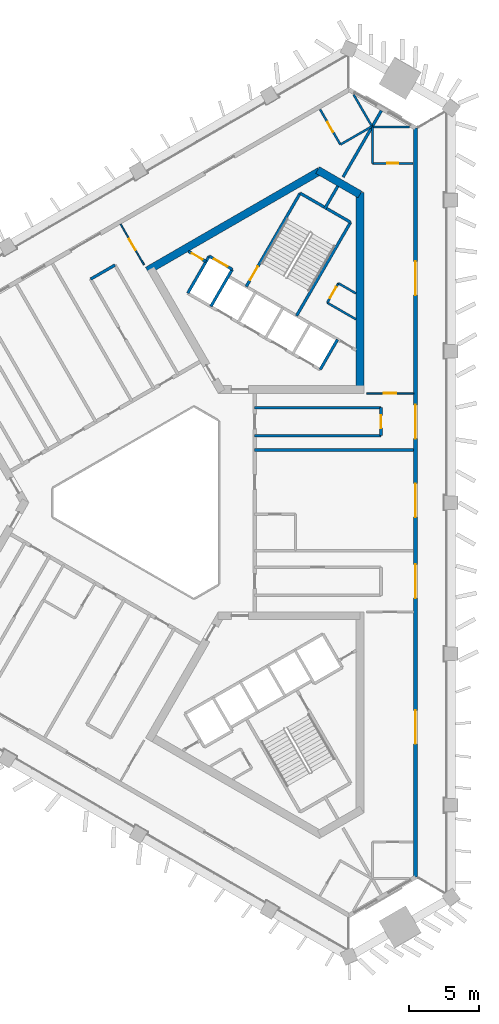
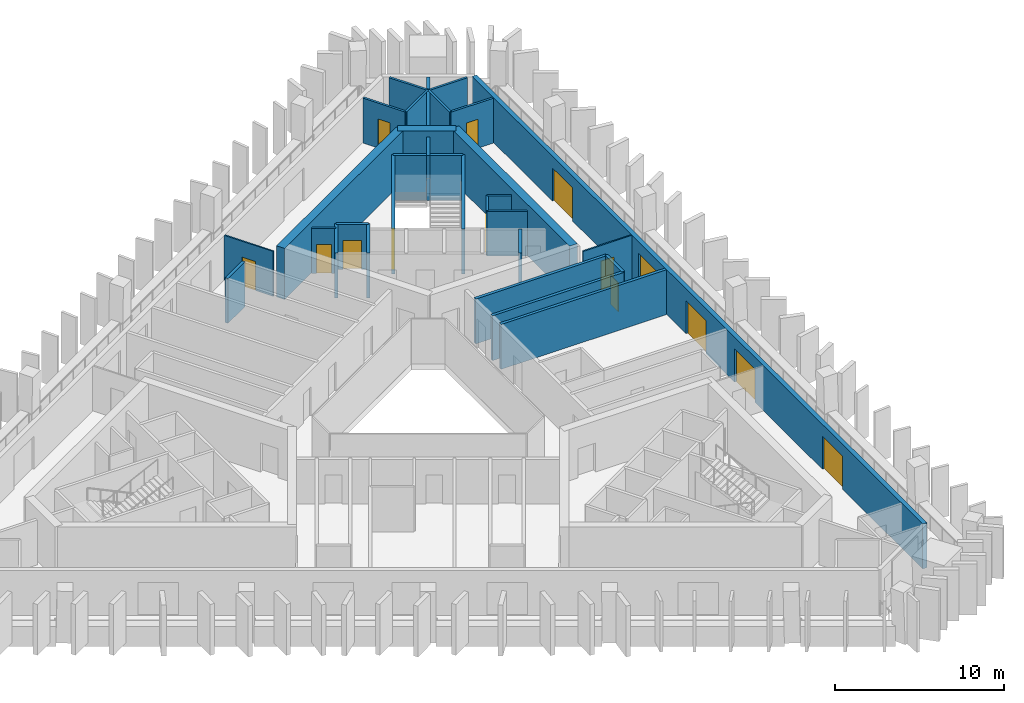
# One storey, part 6 of 10: 30 walls, 14 doors, 14 openings.
"""IFC4 building model written with IfcOpenShell, lengths in metres."""

from ifc_helpers import new_model, si_unit, direction, frame, frame_2d, origin, place, context, subcontext, project, spatial, rectangle, extrude, material, layer, layer_set, type_object, element, fill, save


model = new_model("IFC4")

# Units and contexts
model_context = context("Model", 3, precision=1e-05, world=origin(), true_north=direction((0.0, 1.0)))
body_context = subcontext(model_context, "Body", "Model", "MODEL_VIEW")
ifc_project = project(units=[si_unit("LENGTHUNIT", "METRE"), si_unit("AREAUNIT", "SQUARE_METRE"), si_unit("VOLUMEUNIT", "CUBIC_METRE"), si_unit("PLANEANGLEUNIT", "RADIAN"), si_unit("MASSUNIT", "GRAM", prefix="KILO")], contexts=[model_context])

# Site, building, storey
site_placement = place(None, origin())
site = spatial("IfcSite", under=ifc_project, at=site_placement, CompositionType="ELEMENT")
building_placement = place(site_placement, origin())
building = spatial("IfcBuilding", under=site, at=building_placement, Name="Jabali Bay Hotel Tower and Convention Centre", CompositionType="ELEMENT")
storey_placement = place(building_placement, frame((0.0, 0.0, 174.800048828125)))
storey = spatial("IfcBuildingStorey", under=building, at=storey_placement, Name="L42", CompositionType="ELEMENT", Elevation=174.800048828125)

# Wall
ifc_material_1 = material(Name="Concrete C40", Category="concrete")
ifc_layer_1 = layer(ifc_material_1, 0.199951171875)
ifc_layer_set_1 = layer_set([ifc_layer_1], Name="Concrete C40")
wall_type_1 = type_object("IfcWallType", Name="Core partition wall 200", PredefinedType="PARTITIONING", material=ifc_layer_set_1)
wall_1_placement = place(storey_placement, frame((87.090087890625, 100.9404296875, 0.0), z_axis=(0.0, 0.0, 1.0), x_axis=(0.499951854219, 0.86605319898, 0.0)))
element("IfcWall", 1, at=wall_1_placement, inside=storey, type_object=wall_type_1, Name="Core wall 1.5 L42", PredefinedType="PARTITIONING", context=body_context, shape_type="SweptSolid", body=[
    extrude(rectangle(XDim=1.873291015625, YDim=0.199951171875, at=frame_2d((0.9365234375, 0.0))), origin(), (0.0, 0.0, 1.0), 3.25),
])

# Wall, opening, door
wall_2_placement = place(storey_placement, frame((78.630126953125, 97.187744140625, 0.0), z_axis=(0.0, 0.0, 1.0), x_axis=(-0.866003949776, 0.500037157592, 0.0)))
wall_2 = element("IfcWall", 2, at=wall_2_placement, inside=storey, type_object=wall_type_1, Name="Core wall 1.12 L42", PredefinedType="PARTITIONING", context=body_context, shape_type="SweptSolid", body=[
    extrude(rectangle(XDim=1.455078125, YDim=0.199951171875, at=frame_2d((0.7275390625, 0.0))), origin(), (0.0, 0.0, 1.0), 3.25),
])
opening_1_placement = place(wall_2_placement, frame((0.277587890625, 0.0, 0.0)))
opening_1 = element("IfcOpeningElement", 3, at=opening_1_placement, cuts=wall_2, Name="Opening D916", PredefinedType="OPENING", context=body_context, shape_type="SweptSolid", body=[
    extrude(rectangle(XDim=0.89990234375, YDim=2.10009765625, at=frame_2d((0.449951171875, 1.050048828125))), frame((0.0, 0.1103515625, 0.0), z_axis=(0.0, -1.0, 0.0), x_axis=(1.0, 0.0, 0.0)), (0.0, 0.0, 1.0), 0.220947265625),
])
ifc_material_2 = material(Name="Fire-rated steel door", Category="steel")
door_type_1 = type_object("IfcDoorType", Name="Vestibule fire door 900 x 2100", OperationType="NOTDEFINED", PredefinedType="NOTDEFINED", material=ifc_material_2)
door_1_placement = place(opening_1_placement, origin())
door_1 = element("IfcDoor", 4, at=door_1_placement, inside=storey, type_object=door_type_1, Name="Vestibule fire door D916", OperationType="SINGLE_SWING_LEFT", OverallHeight=2.10009765625, OverallWidth=0.89990234375, PredefinedType="NOTDEFINED", context=body_context, shape_type="SweptSolid", body=[
    extrude(rectangle(XDim=0.89990234375, YDim=2.10009765625, at=frame_2d((0.449951171875, 1.050048828125))), frame((0.0, 0.02490234375, 0.0), z_axis=(0.0, -1.0, 0.0), x_axis=(1.0, 0.0, 0.0)), (0.0, 0.0, 1.0), 0.050048828125),
])
fill(opening_1, door_1)

ifc_material_3 = material(Name="Fire-rated board partition")
ifc_layer_2 = layer(ifc_material_3, 0.14990234375)
ifc_layer_set_2 = layer_set([ifc_layer_2], Name="Fire-rated board partition")
wall_type_2 = type_object("IfcWallType", Name="Core room partition 150", PredefinedType="PARTITIONING", material=ifc_layer_set_2)
wall_3_placement = place(storey_placement, frame((87.27099609375, 94.254150390625, 0.0), z_axis=(0.0, 0.0, 1.0), x_axis=(0.499995408039, 0.866028054938, 0.0)))
wall_3 = element("IfcWall", 5, at=wall_3_placement, inside=storey, type_object=wall_type_2, Name="Core wall 1.1 L42", PredefinedType="PARTITIONING", context=body_context, shape_type="SweptSolid", body=[
    extrude(rectangle(XDim=1.60009765625, YDim=0.14990234375, at=frame_2d((0.800048828125, 0.0))), origin(), (0.0, 0.0, 1.0), 3.25),
])
opening_2_placement = place(wall_3_placement, frame((0.387451171875, 0.0, 0.0)))
opening_2 = element("IfcOpeningElement", 6, at=opening_2_placement, cuts=wall_3, Name="Opening D919", PredefinedType="OPENING", context=body_context, shape_type="SweptSolid", body=[
    extrude(rectangle(XDim=0.89990234375, YDim=2.10009765625, at=frame_2d((0.449951171875, 1.050048828125))), frame((0.0, 0.08544921875, 0.0), z_axis=(0.0, -1.0, 0.0), x_axis=(1.0, 0.0, 0.0)), (0.0, 0.0, 1.0), 0.1708984375),
])
door_type_2 = type_object("IfcDoorType", Name="Core room door 900 x 2100", OperationType="NOTDEFINED", PredefinedType="NOTDEFINED", material=ifc_material_2)
door_2_placement = place(opening_2_placement, origin())
door_2 = element("IfcDoor", 7, at=door_2_placement, inside=storey, type_object=door_type_2, Name="Core room door D919", OperationType="SINGLE_SWING_LEFT", OverallHeight=2.10009765625, OverallWidth=0.89990234375, PredefinedType="NOTDEFINED", context=body_context, shape_type="SweptSolid", body=[
    extrude(rectangle(XDim=0.89990234375, YDim=2.10009765625, at=frame_2d((0.449951171875, 1.050048828125))), frame((0.0, 0.02490234375, 0.0), z_axis=(0.0, -1.0, 0.0), x_axis=(1.0, 0.0, 0.0)), (0.0, 0.0, 1.0), 0.050048828125),
])
fill(opening_2, door_2)

# Walls
wall_4_placement = place(storey_placement, frame((89.330078125, 93.0654296875, 0.0), z_axis=(0.0, 0.0, 1.0), x_axis=(-0.866041951395, 0.499971337603, 0.0)))
element("IfcWall", 8, at=wall_4_placement, inside=storey, type_object=wall_type_2, Name="Core wall 1.14 L42", PredefinedType="PARTITIONING", context=body_context, shape_type="SweptSolid", body=[
    extrude(rectangle(XDim=2.377685546875, YDim=0.14990234375, at=frame_2d((1.18896484375, 0.0))), origin(), (0.0, 0.0, 1.0), 3.25),
])
wall_5_placement = place(storey_placement, frame((89.330078125, 94.912841796875, 0.0), z_axis=(0.0, 0.0, 1.0), x_axis=(-0.865981433661, 0.500076150755, 0.0)))
element("IfcWall", 9, at=wall_5_placement, inside=storey, type_object=wall_type_2, Name="Core wall 1.15 L42", PredefinedType="PARTITIONING", context=body_context, shape_type="SweptSolid", body=[
    extrude(rectangle(XDim=1.453857421875, YDim=0.14990234375, at=frame_2d((0.72705078125, 0.0))), origin(), (0.0, 0.0, 1.0), 3.25),
])
ifc_layer_3 = layer(ifc_material_1, 0.199951171875)
ifc_layer_set_3 = layer_set([ifc_layer_3], Name="Concrete C40")
wall_type_3 = type_object("IfcWallType", Name="Core stair wall 200", PredefinedType="SOLIDWALL", material=ifc_layer_set_3)
wall_6_placement = place(storey_placement, frame((86.769775390625, 89.48583984375, 0.0), z_axis=(0.0, 0.0, 1.0), x_axis=(0.499961042966, 0.86604789447, 0.0)))
element("IfcWall", 10, at=wall_6_placement, inside=storey, type_object=wall_type_3, Name="Core wall 1.0 L42", PredefinedType="SOLIDWALL", context=body_context, shape_type="SweptSolid", body=[
    extrude(rectangle(XDim=2.480224609375, YDim=0.199951171875, at=frame_2d((1.240234375, 0.0))), origin(), (0.0, 0.0, 1.0), 3.25),
])
wall_7_placement = place(storey_placement, frame((85.0869140625, 93.3212890625, 0.0), z_axis=(0.0, 0.0, 1.0), x_axis=(0.500019787375, 0.866013979237, 0.0)))
element("IfcWall", 11, at=wall_7_placement, inside=storey, type_object=wall_type_3, Name="Core wall 1.3 L42", PredefinedType="SOLIDWALL", context=body_context, shape_type="SweptSolid", body=[
    extrude(rectangle(XDim=7.699951171875, YDim=0.199951171875, at=frame_2d((3.85009765625, 0.0))), origin(), (0.0, 0.0, 1.0), 3.25),
])

# Wall, opening, door
wall_8_placement = place(storey_placement, frame((81.492919921875, 95.396240234375, 0.0), z_axis=(0.0, 0.0, 1.0), x_axis=(0.500006057782, 0.866021906294, 0.0)))
wall_8 = element("IfcWall", 12, at=wall_8_placement, inside=storey, type_object=wall_type_3, Name="Core wall 1.7 L42", PredefinedType="SOLIDWALL", context=body_context, shape_type="SweptSolid", body=[
    extrude(rectangle(XDim=7.7001953125, YDim=0.199951171875, at=frame_2d((3.85009765625, 0.0))), origin(), (0.0, 0.0, 1.0), 3.25),
])
opening_3_placement = place(wall_8_placement, frame((0.550048828125, 0.0, 0.0)))
opening_3 = element("IfcOpeningElement", 13, at=opening_3_placement, cuts=wall_8, Name="Opening D918", PredefinedType="OPENING", context=body_context, shape_type="SweptSolid", body=[
    extrude(rectangle(XDim=1.10009765625, YDim=2.10009765625, at=frame_2d((0.550048828125, 1.050048828125))), frame((0.0, 0.1103515625, 0.0), z_axis=(0.0, -1.0, 0.0), x_axis=(1.0, 0.0, 0.0)), (0.0, 0.0, 1.0), 0.220947265625),
])
door_type_3 = type_object("IfcDoorType", Name="Stair fire door 1100 x 2100", OperationType="NOTDEFINED", PredefinedType="NOTDEFINED", material=ifc_material_2)
door_3_placement = place(opening_3_placement, origin())
door_3 = element("IfcDoor", 14, at=door_3_placement, inside=storey, type_object=door_type_3, Name="Stair fire door D918", OperationType="SINGLE_SWING_RIGHT", OverallHeight=2.10009765625, OverallWidth=1.10009765625, PredefinedType="NOTDEFINED", context=body_context, shape_type="SweptSolid", body=[
    extrude(rectangle(XDim=1.10009765625, YDim=2.10009765625, at=frame_2d((0.550048828125, 1.050048828125))), frame((0.0, 0.02490234375, 0.0), z_axis=(0.0, -1.0, 0.0), x_axis=(1.0, 0.0, 0.0)), (0.0, 0.0, 1.0), 0.050048828125),
])
fill(opening_3, door_3)

# Walls
for number, where, z_axis, x_axis, name in (
    (15, (78.9755859375, 93.98583984375, 0.0), (0.0, 0.0, 1.0), (0.499944174705, 0.866057632134, 0.0), "Core wall 1.8 L42"),
    (16, (77.330078125, 94.93603515625, 0.0), (0.0, 0.0, 1.0), (0.500038867431, 0.8660029625, 0.0), "Core wall 1.9 L42"),
):
    element("IfcWall", number, at=place(storey_placement, frame(where, z_axis=z_axis, x_axis=x_axis)), inside=storey, type_object=wall_type_3, Name=name, PredefinedType="SOLIDWALL", context=body_context, shape_type="SweptSolid", body=[
        extrude(rectangle(XDim=3.050048828125, YDim=0.199951171875, at=frame_2d((1.52490234375, 0.0))), origin(), (0.0, 0.0, 1.0), 3.25),
    ])

# Wall, opening, door
wall_9_placement = place(storey_placement, frame((80.50048828125, 96.62744140625, 0.0), z_axis=(0.0, 0.0, 1.0), x_axis=(-0.86601224135, 0.500022797313, 0.0)))
wall_9 = element("IfcWall", 17, at=wall_9_placement, inside=storey, type_object=wall_type_3, Name="Core wall 1.13 L42", PredefinedType="SOLIDWALL", context=body_context, shape_type="SweptSolid", body=[
    extrude(rectangle(XDim=1.89990234375, YDim=0.199951171875, at=frame_2d((0.949951171875, 0.0))), origin(), (0.0, 0.0, 1.0), 3.25),
])
opening_4_placement = place(wall_9_placement, frame((0.39990234375, 0.0, 0.0)))
opening_4 = element("IfcOpeningElement", 18, at=opening_4_placement, cuts=wall_9, Name="Opening LD10-L42", PredefinedType="OPENING", context=body_context, shape_type="SweptSolid", body=[
    extrude(rectangle(XDim=1.10009765625, YDim=2.10009765625, at=frame_2d((0.550048828125, 1.050048828125))), frame((0.0, 0.1103515625, 0.0), z_axis=(0.0, -1.0, 0.0), x_axis=(1.0, 0.0, 0.0)), (0.0, 0.0, 1.0), 0.220947265625),
])
ifc_material_4 = material(Name="Stainless steel landing door", Category="steel")
door_type_4 = type_object("IfcDoorType", Name="Landing door 1100 x 2100", OperationType="NOTDEFINED", PredefinedType="NOTDEFINED", material=ifc_material_4)
door_4_placement = place(opening_4_placement, origin())
door_4 = element("IfcDoor", 19, at=door_4_placement, inside=storey, type_object=door_type_4, Name="Landing doors LD10-L42", OperationType="SLIDING_TO_RIGHT", OverallHeight=2.10009765625, OverallWidth=1.10009765625, PredefinedType="NOTDEFINED", context=body_context, shape_type="SweptSolid", body=[
    extrude(rectangle(XDim=1.10009765625, YDim=2.10009765625, at=frame_2d((0.550048828125, 1.050048828125))), frame((0.0, 0.02490234375, 0.0), z_axis=(0.0, -1.0, 0.0), x_axis=(1.0, 0.0, 0.0)), (0.0, 0.0, 1.0), 0.050048828125),
])
fill(opening_4, door_4)

# Walls
wall_10_placement = place(storey_placement, frame((88.93701171875, 99.989501953125, 0.0), z_axis=(0.0, 0.0, 1.0), x_axis=(-0.866004344652, 0.500036473714, 0.0)))
element("IfcWall", 20, at=wall_10_placement, inside=storey, type_object=wall_type_3, Name="Core wall 1.16 L42", PredefinedType="SOLIDWALL", context=body_context, shape_type="SweptSolid", body=[
    extrude(rectangle(XDim=4.150146484375, YDim=0.199951171875, at=frame_2d((2.0751953125, 0.0))), origin(), (0.0, 0.0, 1.0), 3.25),
])
ifc_material_5 = material(Name="Concrete C60", Category="concrete")
ifc_layer_4 = layer(ifc_material_5, 0.550048828125)
ifc_layer_set_4 = layer_set([ifc_layer_4], Name="Concrete C60")
wall_type_4 = type_object("IfcWallType", Name="Core wall 550", PredefinedType="SHEAR", material=ifc_layer_set_4)
wall_11_placement = place(storey_placement, frame((89.60498046875, 88.0693359375, 0.0), z_axis=(0.0, 0.0, 1.0), x_axis=(0.0, 1.0, 0.0)))
element("IfcWall", 21, at=wall_11_placement, inside=storey, type_object=wall_type_4, Name="Core wall 2.2 L42", PredefinedType="SHEAR", context=body_context, shape_type="SweptSolid", body=[
    extrude(rectangle(XDim=14.058349609375, YDim=0.550048828125, at=frame_2d((7.029296875, 0.0))), origin(), (0.0, 0.0, 1.0), 3.699951171875),
])
wall_12_placement = place(storey_placement, frame((89.60498046875, 101.96875, 0.0), z_axis=(0.0, 0.0, 1.0), x_axis=(-0.865997833373, 0.500047750313, 0.0)))
element("IfcWall", 22, at=wall_12_placement, inside=storey, type_object=wall_type_4, Name="Core wall 2.3 L42", PredefinedType="SHEAR", context=body_context, shape_type="SweptSolid", body=[
    extrude(rectangle(XDim=3.486572265625, YDim=0.550048828125, at=frame_2d((1.7431640625, 0.0))), origin(), (0.0, 0.0, 1.0), 3.699951171875),
])
wall_13_placement = place(storey_placement, frame((86.72314453125, 103.6328125, 0.0), z_axis=(0.0, 0.0, 1.0), x_axis=(-0.866023530946, -0.500003243837, 0.0)))
element("IfcWall", 23, at=wall_13_placement, inside=storey, type_object=wall_type_4, Name="Core wall 2.4 L42", PredefinedType="SHEAR", context=body_context, shape_type="SweptSolid", body=[
    extrude(rectangle(XDim=14.1748046875, YDim=0.550048828125, at=frame_2d((7.08740234375, 0.0))), origin(), (0.0, 0.0, 1.0), 3.699951171875),
])

# Wall, openings, doors
ifc_layer_5 = layer(ifc_material_1, 0.300048828125)
ifc_layer_set_5 = layer_set([ifc_layer_5], Name="Concrete C40")
wall_type_5 = type_object("IfcWallType", Name="External wall 300", PredefinedType="SOLIDWALL", material=ifc_layer_set_5)
wall_14_placement = place(storey_placement, frame((93.57666015625, 106.710205078125, 0.0), z_axis=(0.0, 0.0, 1.0), x_axis=(0.0, -1.0, 0.0)))
wall_14 = element("IfcWall", 24, at=wall_14_placement, inside=storey, type_object=wall_type_5, Name="External wall east face L42", PredefinedType="SOLIDWALL", context=body_context, shape_type="SweptSolid", body=[
    extrude(rectangle(XDim=53.42041015625, YDim=0.300048828125, at=frame_2d((26.710205078125, 0.0))), origin(), (0.0, 0.0, 1.0), 3.25),
])
opening_5_placement = place(wall_14_placement, frame((31.1220703125, 0.0, 0.0)))
opening_5 = element("IfcOpeningElement", 25, at=opening_5_placement, cuts=wall_14, Name="Opening SD1", PredefinedType="OPENING", context=body_context, shape_type="SweptSolid", body=[
    extrude(rectangle(XDim=2.39990234375, YDim=2.39990234375, at=frame_2d((1.199951171875, 1.199951171875))), frame((0.0, 0.16064453125, 0.0), z_axis=(0.0, -1.0, 0.0), x_axis=(1.0, 0.0, 0.0)), (0.0, 0.0, 1.0), 0.321044921875),
])
opening_6_placement = place(wall_14_placement, frame((41.51953125, 0.0, 0.0)))
opening_6 = element("IfcOpeningElement", 26, at=opening_6_placement, cuts=wall_14, Name="Opening SD1", PredefinedType="OPENING", context=body_context, shape_type="SweptSolid", body=[
    extrude(rectangle(XDim=2.39990234375, YDim=2.39990234375, at=frame_2d((1.199951171875, 1.199951171875))), frame((0.0, 0.16064453125, 0.0), z_axis=(0.0, -1.0, 0.0), x_axis=(1.0, 0.0, 0.0)), (0.0, 0.0, 1.0), 0.321044921875),
])
opening_7_placement = place(wall_14_placement, frame((19.742431640625, 0.0, 0.0)))
opening_7 = element("IfcOpeningElement", 27, at=opening_7_placement, cuts=wall_14, Name="Opening SD1", PredefinedType="OPENING", context=body_context, shape_type="SweptSolid", body=[
    extrude(rectangle(XDim=2.39990234375, YDim=2.39990234375, at=frame_2d((1.199951171875, 1.199951171875))), frame((0.0, 0.16064453125, 0.0), z_axis=(0.0, -1.0, 0.0), x_axis=(1.0, 0.0, 0.0)), (0.0, 0.0, 1.0), 0.321044921875),
])
opening_8_placement = place(wall_14_placement, frame((9.507080078125, 0.0, 0.0)))
opening_8 = element("IfcOpeningElement", 28, at=opening_8_placement, cuts=wall_14, Name="Opening SD1", PredefinedType="OPENING", context=body_context, shape_type="SweptSolid", body=[
    extrude(rectangle(XDim=2.39990234375, YDim=2.39990234375, at=frame_2d((1.199951171875, 1.199951171875))), frame((0.0, 0.16064453125, 0.0), z_axis=(0.0, -1.0, 0.0), x_axis=(1.0, 0.0, 0.0)), (0.0, 0.0, 1.0), 0.321044921875),
])
opening_9_placement = place(wall_14_placement, frame((25.354248046875, 0.0, 0.0)))
opening_9 = element("IfcOpeningElement", 29, at=opening_9_placement, cuts=wall_14, Name="Opening SD1", PredefinedType="OPENING", context=body_context, shape_type="SweptSolid", body=[
    extrude(rectangle(XDim=2.39990234375, YDim=2.39990234375, at=frame_2d((1.199951171875, 1.199951171875))), frame((0.0, 0.16064453125, 0.0), z_axis=(0.0, -1.0, 0.0), x_axis=(1.0, 0.0, 0.0)), (0.0, 0.0, 1.0), 0.321044921875),
])
ifc_material_6 = material(Name="Glass", Category="glass")
door_type_5 = type_object("IfcDoorType", Name="Loggia sliding door 2400 x 2400", OperationType="NOTDEFINED", PredefinedType="NOTDEFINED", material=ifc_material_6)
door_5_placement = place(opening_5_placement, origin())
door_5 = element("IfcDoor", 30, at=door_5_placement, inside=storey, type_object=door_type_5, Name="Loggia sliding door 4201", OperationType="SLIDING_TO_LEFT", OverallHeight=2.39990234375, OverallWidth=2.39990234375, PredefinedType="NOTDEFINED", context=body_context, shape_type="SweptSolid", body=[
    extrude(rectangle(XDim=2.39990234375, YDim=2.39990234375, at=frame_2d((1.199951171875, 1.199951171875))), frame((0.0, 0.02490234375, 0.0), z_axis=(0.0, -1.0, 0.0), x_axis=(1.0, 0.0, 0.0)), (0.0, 0.0, 1.0), 0.050048828125),
])
fill(opening_5, door_5)
door_6_placement = place(opening_6_placement, origin())
door_6 = element("IfcDoor", 31, at=door_6_placement, inside=storey, type_object=door_type_5, Name="Loggia sliding door 4201", OperationType="SLIDING_TO_RIGHT", OverallHeight=2.39990234375, OverallWidth=2.39990234375, PredefinedType="NOTDEFINED", context=body_context, shape_type="SweptSolid", body=[
    extrude(rectangle(XDim=2.39990234375, YDim=2.39990234375, at=frame_2d((1.199951171875, 1.199951171875))), frame((0.0, 0.02490234375, 0.0), z_axis=(0.0, -1.0, 0.0), x_axis=(1.0, 0.0, 0.0)), (0.0, 0.0, 1.0), 0.050048828125),
])
fill(opening_6, door_6)
door_7_placement = place(opening_7_placement, origin())
door_7 = element("IfcDoor", 32, at=door_7_placement, inside=storey, type_object=door_type_5, Name="Loggia sliding door 4204", OperationType="SLIDING_TO_LEFT", OverallHeight=2.39990234375, OverallWidth=2.39990234375, PredefinedType="NOTDEFINED", context=body_context, shape_type="SweptSolid", body=[
    extrude(rectangle(XDim=2.39990234375, YDim=2.39990234375, at=frame_2d((1.199951171875, 1.199951171875))), frame((0.0, 0.02490234375, 0.0), z_axis=(0.0, -1.0, 0.0), x_axis=(1.0, 0.0, 0.0)), (0.0, 0.0, 1.0), 0.050048828125),
])
fill(opening_7, door_7)
door_8_placement = place(opening_8_placement, origin())
door_8 = element("IfcDoor", 33, at=door_8_placement, inside=storey, type_object=door_type_5, Name="Loggia sliding door 4204", OperationType="SLIDING_TO_RIGHT", OverallHeight=2.39990234375, OverallWidth=2.39990234375, PredefinedType="NOTDEFINED", context=body_context, shape_type="SweptSolid", body=[
    extrude(rectangle(XDim=2.39990234375, YDim=2.39990234375, at=frame_2d((1.199951171875, 1.199951171875))), frame((0.0, 0.02490234375, 0.0), z_axis=(0.0, -1.0, 0.0), x_axis=(1.0, 0.0, 0.0)), (0.0, 0.0, 1.0), 0.050048828125),
])
fill(opening_8, door_8)
door_9_placement = place(opening_9_placement, origin())
door_9 = element("IfcDoor", 34, at=door_9_placement, inside=storey, type_object=door_type_5, Name="Loggia sliding door 4203", OperationType="SLIDING_TO_LEFT", OverallHeight=2.39990234375, OverallWidth=2.39990234375, PredefinedType="NOTDEFINED", context=body_context, shape_type="SweptSolid", body=[
    extrude(rectangle(XDim=2.39990234375, YDim=2.39990234375, at=frame_2d((1.199951171875, 1.199951171875))), frame((0.0, 0.02490234375, 0.0), z_axis=(0.0, -1.0, 0.0), x_axis=(1.0, 0.0, 0.0)), (0.0, 0.0, 1.0), 0.050048828125),
])
fill(opening_9, door_9)

# Wall, opening, door
ifc_material_7 = material(Name="Plasterboard on steel stud", Category="steel")
ifc_layer_6 = layer(ifc_material_7, 0.10009765625)
ifc_layer_set_6 = layer_set([ifc_layer_6], Name="Plasterboard on steel stud")
wall_type_6 = type_object("IfcWallType", Name="Partition 100 unit", PredefinedType="PARTITIONING", material=ifc_layer_set_6)
wall_15_placement = place(storey_placement, frame((93.427734375, 87.794189453125, 0.0), z_axis=(0.0, 0.0, 1.0), x_axis=(-1.0, 0.0, 0.0)))
wall_15 = element("IfcWall", 35, at=wall_15_placement, inside=storey, type_object=wall_type_6, Name="Partition P02 L42 014", PredefinedType="PARTITIONING", context=body_context, shape_type="SweptSolid", body=[
    extrude(rectangle(XDim=3.3486328125, YDim=0.10009765625, at=frame_2d((1.67431640625, 0.0))), origin(), (0.0, 0.0, 1.0), 3.25),
])
opening_10_placement = place(wall_15_placement, frame((1.22412109375, 0.0, 0.0)))
opening_10 = element("IfcOpeningElement", 36, at=opening_10_placement, cuts=wall_15, Name="Opening 4208", PredefinedType="OPENING", context=body_context, shape_type="SweptSolid", body=[
    extrude(rectangle(XDim=0.89990234375, YDim=2.10009765625, at=frame_2d((0.449951171875, 1.050048828125))), frame((0.0, 0.060546875, 0.0), z_axis=(0.0, -1.0, 0.0), x_axis=(1.0, 0.0, 0.0)), (0.0, 0.0, 1.0), 0.12109375),
])
ifc_material_8 = material(Name="Timber", Category="wood")
door_type_6 = type_object("IfcDoorType", Name="Internal door 900 x 2100", OperationType="NOTDEFINED", PredefinedType="NOTDEFINED", material=ifc_material_8)
door_10_placement = place(opening_10_placement, origin())
door_10 = element("IfcDoor", 37, at=door_10_placement, inside=storey, type_object=door_type_6, Name="Door 4208", OperationType="SINGLE_SWING_LEFT", OverallHeight=2.10009765625, OverallWidth=0.89990234375, PredefinedType="NOTDEFINED", context=body_context, shape_type="SweptSolid", body=[
    extrude(rectangle(XDim=0.89990234375, YDim=2.10009765625, at=frame_2d((0.449951171875, 1.050048828125))), frame((0.0, 0.02490234375, 0.0), z_axis=(0.0, -1.0, 0.0), x_axis=(1.0, 0.0, 0.0)), (0.0, 0.0, 1.0), 0.050048828125),
])
fill(opening_10, door_10)

wall_16_placement = place(storey_placement, frame((74.21044921875, 96.955810546875, 0.0), z_axis=(0.0, 0.0, 1.0), x_axis=(-0.499981198768, 0.866036258409, 0.0)))
wall_16 = element("IfcWall", 38, at=wall_16_placement, inside=storey, type_object=wall_type_6, Name="Partition P02 L42 022", PredefinedType="PARTITIONING", context=body_context, shape_type="SweptSolid", body=[
    extrude(rectangle(XDim=3.348876953125, YDim=0.10009765625, at=frame_2d((1.67431640625, 0.0))), origin(), (0.0, 0.0, 1.0), 3.25),
])
opening_11_placement = place(wall_16_placement, frame((1.22412109375, 0.0, 0.0)))
opening_11 = element("IfcOpeningElement", 39, at=opening_11_placement, cuts=wall_16, Name="Opening 4212", PredefinedType="OPENING", context=body_context, shape_type="SweptSolid", body=[
    extrude(rectangle(XDim=0.89990234375, YDim=2.10009765625, at=frame_2d((0.449951171875, 1.050048828125))), frame((0.0, 0.060546875, 0.0), z_axis=(0.0, -1.0, 0.0), x_axis=(1.0, 0.0, 0.0)), (0.0, 0.0, 1.0), 0.12109375),
])
door_11_placement = place(opening_11_placement, origin())
door_11 = element("IfcDoor", 40, at=door_11_placement, inside=storey, type_object=door_type_6, Name="Door 4212", OperationType="SINGLE_SWING_LEFT", OverallHeight=2.10009765625, OverallWidth=0.89990234375, PredefinedType="NOTDEFINED", context=body_context, shape_type="SweptSolid", body=[
    extrude(rectangle(XDim=0.89990234375, YDim=2.10009765625, at=frame_2d((0.449951171875, 1.050048828125))), frame((0.0, 0.02490234375, 0.0), z_axis=(0.0, -1.0, 0.0), x_axis=(1.0, 0.0, 0.0)), (0.0, 0.0, 1.0), 0.050048828125),
])
fill(opening_11, door_11)

ifc_layer_7 = layer(ifc_material_7, 0.14990234375)
ifc_layer_set_7 = layer_set([ifc_layer_7], Name="Plasterboard on steel stud")
wall_type_7 = type_object("IfcWallType", Name="Partition 150 wet", PredefinedType="PARTITIONING", material=ifc_layer_set_7)
wall_17_placement = place(storey_placement, frame((93.401611328125, 104.1943359375, 0.0), z_axis=(0.0, 0.0, 1.0), x_axis=(-1.0, 0.0, 0.0)))
wall_17 = element("IfcWall", 41, at=wall_17_placement, inside=storey, type_object=wall_type_7, Name="Partition P03 L42 018", PredefinedType="PARTITIONING", context=body_context, shape_type="SweptSolid", body=[
    extrude(rectangle(XDim=2.900146484375, YDim=0.14990234375, at=frame_2d((1.4501953125, 0.0))), origin(), (0.0, 0.0, 1.0), 3.25),
])
opening_12_placement = place(wall_17_placement, frame((1.050048828125, 0.0, 0.0)))
opening_12 = element("IfcOpeningElement", 42, at=opening_12_placement, cuts=wall_17, Name="Opening 4209", PredefinedType="OPENING", context=body_context, shape_type="SweptSolid", body=[
    extrude(rectangle(XDim=0.800048828125, YDim=2.10009765625, at=frame_2d((0.39990234375, 1.050048828125))), frame((0.0, 0.08544921875, 0.0), z_axis=(0.0, -1.0, 0.0), x_axis=(1.0, 0.0, 0.0)), (0.0, 0.0, 1.0), 0.1708984375),
])
door_type_7 = type_object("IfcDoorType", Name="En-suite door 800 x 2100", OperationType="NOTDEFINED", PredefinedType="NOTDEFINED", material=ifc_material_8)
door_12_placement = place(opening_12_placement, origin())
door_12 = element("IfcDoor", 43, at=door_12_placement, inside=storey, type_object=door_type_7, Name="Door 4209", OperationType="SINGLE_SWING_RIGHT", OverallHeight=2.10009765625, OverallWidth=0.800048828125, PredefinedType="NOTDEFINED", context=body_context, shape_type="SweptSolid", body=[
    extrude(rectangle(XDim=0.800048828125, YDim=2.10009765625, at=frame_2d((0.39990234375, 1.050048828125))), frame((0.0, 0.02490234375, 0.0), z_axis=(0.0, -1.0, 0.0), x_axis=(1.0, 0.0, 0.0)), (0.0, 0.0, 1.0), 0.050048828125),
])
fill(opening_12, door_12)

# Walls
wall_18_placement = place(storey_placement, frame((90.50146484375, 104.1943359375, 0.0), z_axis=(0.0, 0.0, 1.0), x_axis=(0.0, 1.0, 0.0)))
element("IfcWall", 44, at=wall_18_placement, inside=storey, type_object=wall_type_7, Name="Partition P03 L42 019", PredefinedType="PARTITIONING", context=body_context, shape_type="SweptSolid", body=[
    extrude(rectangle(XDim=2.599853515625, YDim=0.14990234375, at=frame_2d((1.2998046875, 0.0))), origin(), (0.0, 0.0, 1.0), 3.25),
])
wall_19_placement = place(storey_placement, frame((90.50146484375, 106.794189453125, 0.0), z_axis=(0.0, 0.0, 1.0), x_axis=(1.0, 0.0, 0.0)))
element("IfcWall", 45, at=wall_19_placement, inside=storey, type_object=wall_type_7, Name="Partition P03 L42 020", PredefinedType="PARTITIONING", context=body_context, shape_type="SweptSolid", body=[
    extrude(rectangle(XDim=2.631591796875, YDim=0.14990234375, at=frame_2d((1.31591796875, 0.0))), origin(), (0.0, 0.0, 1.0), 3.25),
])
wall_20_placement = place(storey_placement, frame((89.1591796875, 109.088623046875, 0.0), z_axis=(0.0, 0.0, 1.0), x_axis=(0.499981517636, -0.866036074319, 0.0)))
element("IfcWall", 46, at=wall_20_placement, inside=storey, type_object=wall_type_7, Name="Partition P03 L42 027", PredefinedType="PARTITIONING", context=body_context, shape_type="SweptSolid", body=[
    extrude(rectangle(XDim=2.6103515625, YDim=0.14990234375, at=frame_2d((1.30517578125, 0.0))), origin(), (0.0, 0.0, 1.0), 3.25),
])
wall_21_placement = place(storey_placement, frame((90.46435546875, 106.827880859375, 0.0), z_axis=(0.0, 0.0, 1.0), x_axis=(-0.866062058628, -0.499936506574, 0.0)))
element("IfcWall", 47, at=wall_21_placement, inside=storey, type_object=wall_type_7, Name="Partition P03 L42 028", PredefinedType="PARTITIONING", context=body_context, shape_type="SweptSolid", body=[
    extrude(rectangle(XDim=2.599853515625, YDim=0.14990234375, at=frame_2d((1.2998046875, 0.0))), origin(), (0.0, 0.0, 1.0), 3.25),
])

# Wall, opening, door
wall_22_placement = place(storey_placement, frame((88.212646484375, 105.528076171875, 0.0), z_axis=(0.0, 0.0, 1.0), x_axis=(-0.499987231761, 0.866032775405, 0.0)))
wall_22 = element("IfcWall", 48, at=wall_22_placement, inside=storey, type_object=wall_type_7, Name="Partition P03 L42 029", PredefinedType="PARTITIONING", context=body_context, shape_type="SweptSolid", body=[
    extrude(rectangle(XDim=2.89990234375, YDim=0.14990234375, at=frame_2d((1.449951171875, 0.0))), origin(), (0.0, 0.0, 1.0), 3.25),
])
opening_13_placement = place(wall_22_placement, frame((1.050048828125, 0.0, 0.0)))
opening_13 = element("IfcOpeningElement", 49, at=opening_13_placement, cuts=wall_22, Name="Opening 4213", PredefinedType="OPENING", context=body_context, shape_type="SweptSolid", body=[
    extrude(rectangle(XDim=0.800048828125, YDim=2.10009765625, at=frame_2d((0.39990234375, 1.050048828125))), frame((0.0, 0.08544921875, 0.0), z_axis=(0.0, -1.0, 0.0), x_axis=(1.0, 0.0, 0.0)), (0.0, 0.0, 1.0), 0.1708984375),
])
door_13_placement = place(opening_13_placement, origin())
door_13 = element("IfcDoor", 50, at=door_13_placement, inside=storey, type_object=door_type_7, Name="Door 4213", OperationType="SINGLE_SWING_RIGHT", OverallHeight=2.10009765625, OverallWidth=0.800048828125, PredefinedType="NOTDEFINED", context=body_context, shape_type="SweptSolid", body=[
    extrude(rectangle(XDim=0.800048828125, YDim=2.10009765625, at=frame_2d((0.39990234375, 1.050048828125))), frame((0.0, 0.02490234375, 0.0), z_axis=(0.0, -1.0, 0.0), x_axis=(1.0, 0.0, 0.0)), (0.0, 0.0, 1.0), 0.050048828125),
])
fill(opening_13, door_13)

# Walls
ifc_layer_8 = layer(ifc_material_7, 0.199951171875)
ifc_layer_set_8 = layer_set([ifc_layer_8], Name="Plasterboard on steel stud")
wall_type_8 = type_object("IfcWallType", Name="Partition 200 party", PredefinedType="PARTITIONING", material=ifc_layer_set_8)
wall_23_placement = place(storey_placement, frame((93.427734375, 83.7412109375, 0.0), z_axis=(0.0, 0.0, 1.0), x_axis=(-1.0, 0.0, 0.0)))
element("IfcWall", 51, at=wall_23_placement, inside=storey, type_object=wall_type_8, Name="Partition P01 L42 013", PredefinedType="PARTITIONING", context=body_context, shape_type="SweptSolid", body=[
    extrude(rectangle(XDim=11.32763671875, YDim=0.199951171875, at=frame_2d((5.663818359375, 0.0))), origin(), (0.0, 0.0, 1.0), 3.25),
])
wall_24_placement = place(storey_placement, frame((82.10009765625, 86.767822265625, 0.0), z_axis=(0.0, 0.0, 1.0), x_axis=(1.0, 0.0, 0.0)))
element("IfcWall", 52, at=wall_24_placement, inside=storey, type_object=wall_type_8, Name="Partition P01 L42 015", PredefinedType="PARTITIONING", context=body_context, shape_type="SweptSolid", body=[
    extrude(rectangle(XDim=9.0, YDim=0.199951171875, at=frame_2d((4.5, 0.0))), origin(), (0.0, 0.0, 1.0), 3.25),
])

# Wall, opening, door
wall_25_placement = place(storey_placement, frame((91.10009765625, 86.767822265625, 0.0), z_axis=(0.0, 0.0, 1.0), x_axis=(0.0, -1.0, 0.0)))
wall_25 = element("IfcWall", 53, at=wall_25_placement, inside=storey, type_object=wall_type_8, Name="Partition P01 L42 016", PredefinedType="PARTITIONING", context=body_context, shape_type="SweptSolid", body=[
    extrude(rectangle(XDim=2.0, YDim=0.199951171875, at=frame_2d((1.0, 0.0))), origin(), (0.0, 0.0, 1.0), 3.25),
])
opening_14_placement = place(wall_25_placement, frame((0.550048828125, 0.0, 0.0)))
opening_14 = element("IfcOpeningElement", 54, at=opening_14_placement, cuts=wall_25, Name="Opening 4210", PredefinedType="OPENING", context=body_context, shape_type="SweptSolid", body=[
    extrude(rectangle(XDim=0.89990234375, YDim=2.10009765625, at=frame_2d((0.449951171875, 1.050048828125))), frame((0.0, 0.1103515625, 0.0), z_axis=(0.0, -1.0, 0.0), x_axis=(1.0, 0.0, 0.0)), (0.0, 0.0, 1.0), 0.220947265625),
])
door_14_placement = place(opening_14_placement, origin())
door_14 = element("IfcDoor", 55, at=door_14_placement, inside=storey, type_object=door_type_6, Name="Door 4210", OperationType="SINGLE_SWING_RIGHT", OverallHeight=2.10009765625, OverallWidth=0.89990234375, PredefinedType="NOTDEFINED", context=body_context, shape_type="SweptSolid", body=[
    extrude(rectangle(XDim=0.89990234375, YDim=2.10009765625, at=frame_2d((0.449951171875, 1.050048828125))), frame((0.0, 0.02490234375, 0.0), z_axis=(0.0, -1.0, 0.0), x_axis=(1.0, 0.0, 0.0)), (0.0, 0.0, 1.0), 0.050048828125),
])
fill(opening_14, door_14)

# Walls
wall_26_placement = place(storey_placement, frame((91.10009765625, 84.767822265625, 0.0), z_axis=(0.0, 0.0, 1.0), x_axis=(-1.0, 0.0, 0.0)))
element("IfcWall", 56, at=wall_26_placement, inside=storey, type_object=wall_type_8, Name="Partition P01 L42 017", PredefinedType="PARTITIONING", context=body_context, shape_type="SweptSolid", body=[
    extrude(rectangle(XDim=9.0, YDim=0.199951171875, at=frame_2d((4.5, 0.0))), origin(), (0.0, 0.0, 1.0), 3.25),
])
wall_27_placement = place(storey_placement, frame((91.135498046875, 107.947509765625, 0.0), z_axis=(0.0, 0.0, 1.0), x_axis=(-0.499980071345, -0.866036909293, 0.0)))
element("IfcWall", 57, at=wall_27_placement, inside=storey, type_object=wall_type_8, Name="Partition P01 L42 021", PredefinedType="PARTITIONING", context=body_context, shape_type="SweptSolid", body=[
    extrude(rectangle(XDim=5.468994140625, YDim=0.199951171875, at=frame_2d((2.734375, 0.0))), origin(), (0.0, 0.0, 1.0), 3.25),
])
wall_28_placement = place(storey_placement, frame((70.404052734375, 95.937255859375, 0.0), z_axis=(0.0, 0.0, 1.0), x_axis=(0.866010750942, 0.50002537861, 0.0)))
element("IfcWall", 58, at=wall_28_placement, inside=storey, type_object=wall_type_8, Name="Partition P01 L42 024", PredefinedType="PARTITIONING", context=body_context, shape_type="SweptSolid", body=[
    extrude(rectangle(XDim=2.0, YDim=0.199951171875, at=frame_2d((1.0, 0.0))), origin(), (0.0, 0.0, 1.0), 3.25),
])

save(model, "model.ifc")
